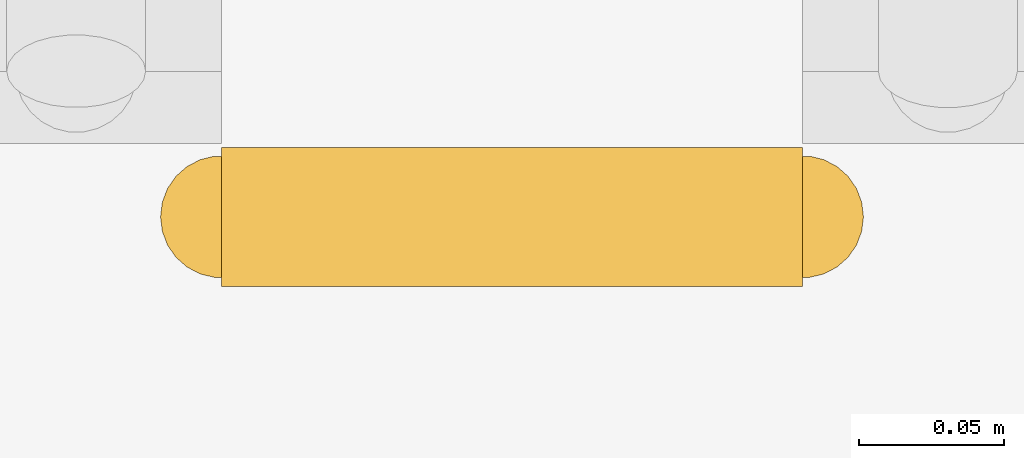
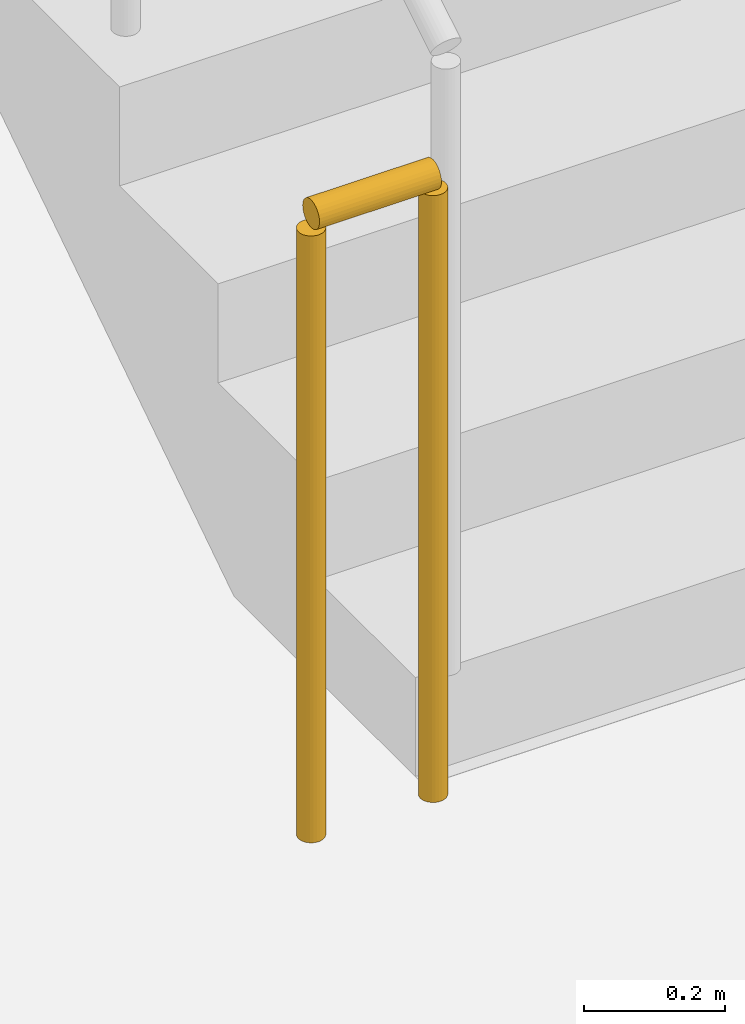
# One storey, part 43 of 51: 1 railing.
"""IFC4 building model written with IfcOpenShell, lengths in metres."""

from ifc_helpers import new_model, si_unit, direction, frame, origin, origin_2d, place, context, subcontext, project, spatial, circle, extrude, material, type_object, element, save


model = new_model("IFC4")

# Units and contexts
model_context = context("Model", 3, precision=1e-05, world=origin(), true_north=direction((0.0, 1.0)))
body_context = subcontext(model_context, "Body", "Model", "MODEL_VIEW")
ifc_project = project(units=[si_unit("LENGTHUNIT", "METRE"), si_unit("AREAUNIT", "SQUARE_METRE"), si_unit("VOLUMEUNIT", "CUBIC_METRE"), si_unit("PLANEANGLEUNIT", "RADIAN"), si_unit("MASSUNIT", "GRAM", prefix="KILO")], contexts=[model_context])

# Site, building, storey
site_placement = place(None, origin())
site = spatial("IfcSite", under=ifc_project, at=site_placement, CompositionType="ELEMENT")
building_placement = place(site_placement, origin())
building = spatial("IfcBuilding", under=site, at=building_placement, Name="Varncliffe General Hospital", CompositionType="ELEMENT")
storey_placement = place(building_placement, frame((0.0, 0.0, -4.800048828125)))
storey = spatial("IfcBuildingStorey", under=building, at=storey_placement, Name="B1", CompositionType="ELEMENT", Elevation=-4.800048828125)

# Railing
ifc_material = material(Name="Powder-coated hospital steel guardrail and handrail", Category="steel")
railing_type = type_object("IfcRailingType", Name="Stairwell Guardrail SG49", PredefinedType="GUARDRAIL", material=ifc_material)
railing_placement = place(storey_placement, frame((114.949951171875, 90.550048828125, 0.0)))
element("IfcRailing", 1, at=railing_placement, inside=storey, type_object=railing_type, Name="B1 ST06 stair guard 4", PredefinedType="GUARDRAIL", context=body_context, shape_type="SweptSolid", body=[
    extrude(circle(Radius=0.02392578125, at=origin_2d()), frame((0.0, 0.0, 1.076171875), z_axis=(-1.0, 0.0, 0.0), x_axis=(0.0, -1.0, 0.0)), (0.0, 0.0, 1.0), 0.199951171875),
    extrude(circle(Radius=0.02099609375, at=origin_2d()), origin(), (0.0, 0.0, 1.0), 1.052001953125),
    extrude(circle(Radius=0.02099609375, at=origin_2d()), frame((-0.199951171875, 0.0, 0.0)), (0.0, 0.0, 1.0), 1.052001953125),
])

save(model, "model.ifc")
